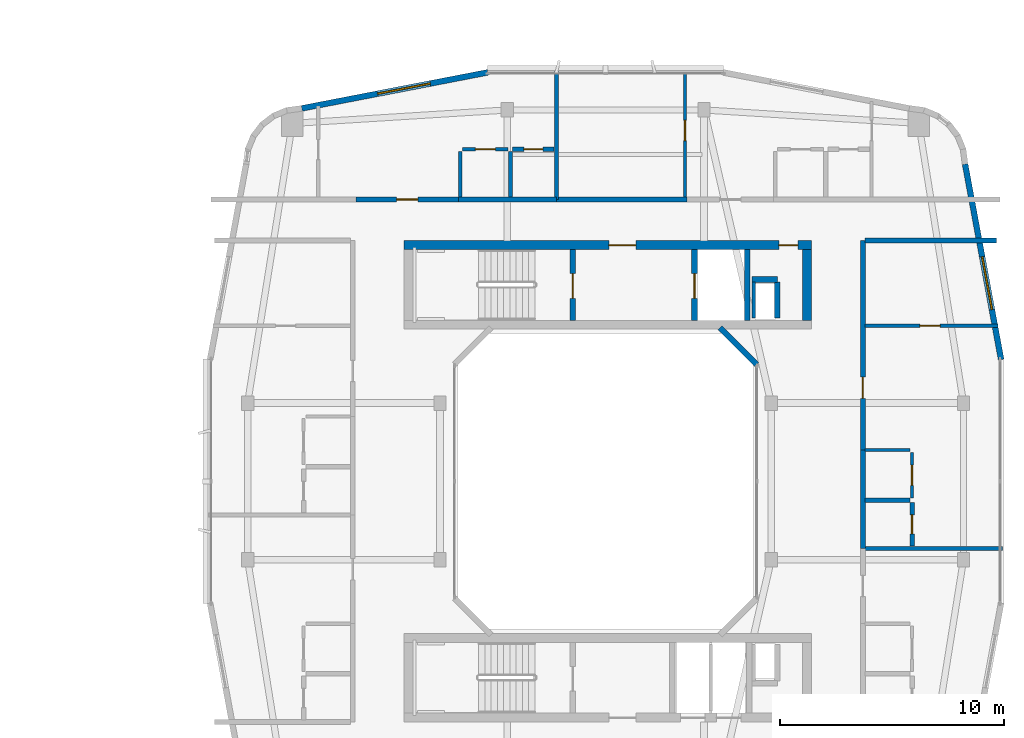
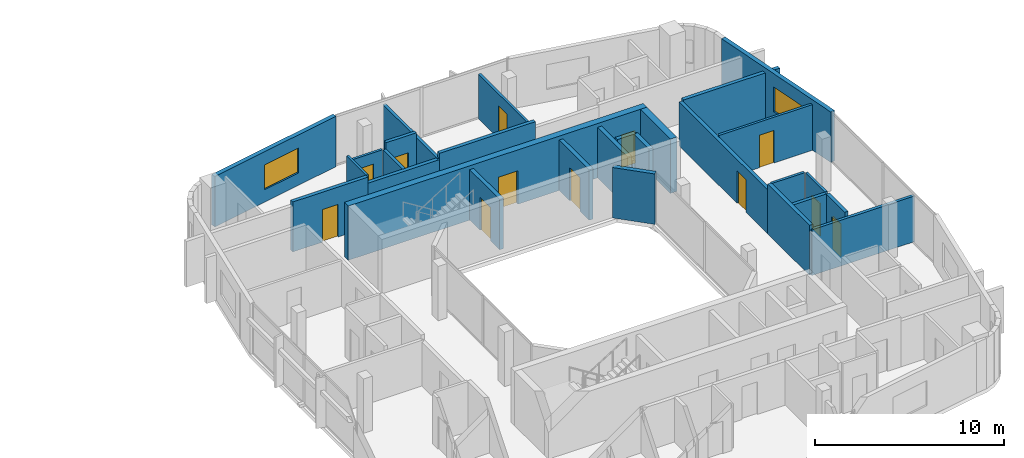
# One storey, part 19 of 26: 29 walls, 12 doors, 2 windows, 14 openings.
"""IFC4 building model written with IfcOpenShell, lengths in metres."""

from ifc_helpers import new_model, si_unit, derived_unit, direction, frame, frame_2d, origin, place, context, subcontext, project, spatial, rectangle, extrude, material, layer, layer_set, type_object, element, fill, save


model = new_model("IFC4")

# Units and contexts
model_context = context("Model", 3, precision=1e-05, world=origin(), true_north=direction((0.0, 1.0)))
body_context = subcontext(model_context, "Body", "Model", "MODEL_VIEW")
ifc_project = project(units=[si_unit("LENGTHUNIT", "METRE"), si_unit("AREAUNIT", "SQUARE_METRE"), si_unit("VOLUMEUNIT", "CUBIC_METRE"), si_unit("PLANEANGLEUNIT", "RADIAN"), si_unit("MASSUNIT", "GRAM", prefix="KILO"), derived_unit("THERMALTRANSMITTANCEUNIT", [(si_unit("POWERUNIT", "WATT"), 1), (si_unit("LENGTHUNIT", "METRE"), -2), (si_unit("THERMODYNAMICTEMPERATUREUNIT", "KELVIN"), -1)])], contexts=[model_context])

# Site, building, storey
site_placement = place(None, origin())
site = spatial("IfcSite", under=ifc_project, at=site_placement, CompositionType="ELEMENT")
building_placement = place(site_placement, origin())
building = spatial("IfcBuilding", under=site, at=building_placement, Name="Kivonza Crest Hotel", CompositionType="ELEMENT")
storey_placement = place(building_placement, frame((0.0, 0.0, 109.0)))
storey = spatial("IfcBuildingStorey", under=building, at=storey_placement, Name="L29", CompositionType="ELEMENT", Elevation=109.0)

# Walls
ifc_material_1 = material(Name="High-density acoustic masonry inter-tenancy wall", Category="masonry")
ifc_layer_1 = layer(ifc_material_1, 0.179931640625)
ifc_layer_set_1 = layer_set([ifc_layer_1], Name="High-density acoustic masonry inter-tenancy wall")
wall_type_1 = type_object("IfcWallType", Name="WL-ACOU-180", PredefinedType="SOLIDWALL", material=ifc_layer_set_1)
wall_1_placement = place(storey_placement, frame((74.800048828125, 37.60009765625, 0.0), z_axis=(0.0, 0.0, 1.0), x_axis=(0.0, 1.0, 0.0)))
element("IfcWall", 1, at=wall_1_placement, inside=storey, type_object=wall_type_1, Name="L29 interior partition WA-L29-T2N-DIV1", PredefinedType="SOLIDWALL", context=body_context, shape_type="SweptSolid", body=[
    extrude(rectangle(XDim=5.739990234375, YDim=0.179931640625, at=frame_2d((2.8701171875, 0.0))), origin(), (0.0, 0.0, 1.0), 2.864990234375),
])
wall_2_placement = place(storey_placement, frame((88.5, 22.0, 0.0), z_axis=(0.0, 0.0, 1.0), x_axis=(1.0, 0.0, 0.0)))
element("IfcWall", 2, at=wall_2_placement, inside=storey, type_object=wall_type_1, Name="L29 interior partition WA-L29-T2E-DIV1", PredefinedType="SOLIDWALL", context=body_context, shape_type="SweptSolid", body=[
    extrude(rectangle(XDim=6.239990234375, YDim=0.179931640625, at=frame_2d((3.1201171875, 0.0))), origin(), (0.0, 0.0, 1.0), 2.945068359375),
])
ifc_material_2 = material(Name="Autoclaved aerated concrete blockwork", Category="masonry")
ifc_layer_2 = layer(ifc_material_2, 0.219970703125)
ifc_layer_set_2 = layer_set([ifc_layer_2], Name="Autoclaved aerated concrete blockwork")
wall_type_2 = type_object("IfcWallType", Name="WL-ACOU-220", PredefinedType="SOLIDWALL", material=ifc_layer_set_2)
wall_3_placement = place(storey_placement, frame((70.419921875, 37.60009765625, 0.0), z_axis=(0.0, 0.0, 1.0), x_axis=(1.0, 0.0, 0.0)))
element("IfcWall", 3, at=wall_3_placement, inside=storey, type_object=wall_type_2, Name="L29 interior partition WA-L29-A01-RCORR", PredefinedType="SOLIDWALL", context=body_context, shape_type="SweptSolid", body=[
    extrude(rectangle(XDim=4.380126953125, YDim=0.219970703125, at=frame_2d((2.18994140625, 0.0))), origin(), (0.0, 0.0, 1.0), 2.824951171875),
])

# Wall, opening, door
wall_4_placement = place(storey_placement, frame((65.85009765625, 37.60009765625, 0.0), z_axis=(0.0, 0.0, 1.0), x_axis=(1.0, 0.0, 0.0)))
wall_4 = element("IfcWall", 4, at=wall_4_placement, inside=storey, type_object=wall_type_2, Name="L29 interior partition WA-L29-A01-MCORR", PredefinedType="SOLIDWALL", context=body_context, shape_type="SweptSolid", body=[
    extrude(rectangle(XDim=4.56982421875, YDim=0.219970703125, at=frame_2d((2.284912109375, 0.0))), origin(), (0.0, 0.0, 1.0), 3.219970703125),
])
opening_1_placement = place(wall_4_placement, frame((1.81005859375, 0.0, 0.0)))
opening_1 = element("IfcOpeningElement", 5, at=opening_1_placement, cuts=wall_4, Name="Opening DU-60", PredefinedType="OPENING", context=body_context, shape_type="SweptSolid", body=[
    extrude(rectangle(XDim=0.949951171875, YDim=2.10009765625, at=frame_2d((0.47509765625, 1.050048828125))), frame((0.0, 0.1201171875, 0.0), z_axis=(0.0, -1.0, 0.0), x_axis=(1.0, 0.0, 0.0)), (0.0, 0.0, 1.0), 0.239990234375),
])
ifc_material_3 = material(Name="Hardwood timber oak", Category="wood")
door_type_1 = type_object("IfcDoorType", Name="DR-UNIT-950", OperationType="NOTDEFINED", PredefinedType="DOOR", material=ifc_material_3)
door_1_placement = place(opening_1_placement, origin())
door_1 = element("IfcDoor", 6, at=door_1_placement, inside=storey, type_object=door_type_1, Name="L29 A01 apartment entrance fire door", OperationType="SINGLE_SWING_LEFT", OverallHeight=2.10009765625, OverallWidth=0.949951171875, PredefinedType="DOOR", context=body_context, shape_type="SweptSolid", body=[
    extrude(rectangle(XDim=0.949951171875, YDim=2.10009765625, at=frame_2d((0.47509765625, 1.050048828125))), frame((0.0, 0.02490234375, 0.0), z_axis=(0.0, -1.0, 0.0), x_axis=(1.0, 0.0, 0.0)), (0.0, 0.0, 1.0), 0.050048828125),
])
fill(opening_1, door_1)

# Walls
wall_5_placement = place(storey_placement, frame((74.800048828125, 37.60009765625, 0.0), z_axis=(0.0, 0.0, 1.0), x_axis=(1.0, 0.0, 0.0)))
element("IfcWall", 7, at=wall_5_placement, inside=storey, type_object=wall_type_2, Name="L29 interior partition WA-L29-A02-LCORR", PredefinedType="SOLIDWALL", context=body_context, shape_type="SweptSolid", body=[
    extrude(rectangle(XDim=5.829833984375, YDim=0.219970703125, at=frame_2d((2.9150390625, 0.0))), origin(), (0.0, 0.0, 1.0), 3.219970703125),
])
wall_6_placement = place(storey_placement, frame((88.60009765625, 35.760009765625, 0.0), z_axis=(0.0, 0.0, 1.0), x_axis=(1.0, 0.0, 0.0)))
element("IfcWall", 8, at=wall_6_placement, inside=storey, type_object=wall_type_2, Name="L29 interior partition WA-L29-T2E-ENDN", PredefinedType="SOLIDWALL", context=body_context, shape_type="SweptSolid", body=[
    extrude(rectangle(XDim=5.8798828125, YDim=0.219970703125, at=frame_2d((2.93994140625, 0.0))), origin(), (0.0, 0.0, 1.0), 2.945068359375),
])
wall_7_placement = place(storey_placement, frame((88.5, 22.0, 0.0), z_axis=(0.0, 0.0, 1.0), x_axis=(0.0, 1.0, 0.0)))
element("IfcWall", 9, at=wall_7_placement, inside=storey, type_object=wall_type_2, Name="L29 interior partition WA-L29-A09-BCORR", PredefinedType="SOLIDWALL", context=body_context, shape_type="SweptSolid", body=[
    extrude(rectangle(XDim=4.39990234375, YDim=0.219970703125, at=frame_2d((2.199951171875, 0.0))), origin(), (0.0, 0.0, 1.0), 3.219970703125),
])

# Wall, opening, door
wall_8_placement = place(storey_placement, frame((88.5, 26.39990234375, 0.0), z_axis=(0.0, 0.0, 1.0), x_axis=(0.0, 1.0, 0.0)))
wall_8 = element("IfcWall", 10, at=wall_8_placement, inside=storey, type_object=wall_type_2, Name="L29 interior partition WA-L29-A09-MCORR", PredefinedType="SOLIDWALL", context=body_context, shape_type="SweptSolid", body=[
    extrude(rectangle(XDim=9.360107421875, YDim=0.219970703125, at=frame_2d((4.68017578125, 0.0))), origin(), (0.0, 0.0, 1.0), 2.824951171875),
])
opening_2_placement = place(wall_8_placement, frame((2.304931640625, 0.0, 0.0)))
opening_2 = element("IfcOpeningElement", 11, at=opening_2_placement, cuts=wall_8, Name="Opening DU-60", PredefinedType="OPENING", context=body_context, shape_type="SweptSolid", body=[
    extrude(rectangle(XDim=0.949951171875, YDim=2.10009765625, at=frame_2d((0.47509765625, 1.050048828125))), frame((0.0, 0.1201171875, 0.0), z_axis=(0.0, -1.0, 0.0), x_axis=(1.0, 0.0, 0.0)), (0.0, 0.0, 1.0), 0.239990234375),
])
door_2_placement = place(opening_2_placement, frame((0.949951171875, 0.0, 0.0), z_axis=(0.0, 0.0, 1.0), x_axis=(-1.0, 0.0, 0.0)))
door_2 = element("IfcDoor", 12, at=door_2_placement, inside=storey, type_object=door_type_1, Name="L29 A09 apartment entrance fire door", OperationType="SINGLE_SWING_LEFT", OverallHeight=2.10009765625, OverallWidth=0.949951171875, PredefinedType="DOOR", context=body_context, shape_type="SweptSolid", body=[
    extrude(rectangle(XDim=0.949951171875, YDim=2.10009765625, at=frame_2d((0.47509765625, 1.050048828125))), frame((0.0, 0.02490234375, 0.0), z_axis=(0.0, -1.0, 0.0), x_axis=(1.0, 0.0, 0.0)), (0.0, 0.0, 1.0), 0.050048828125),
])
fill(opening_2, door_2)

# Wall, openings, doors
ifc_material_4 = material(Name="Concrete C50/60", Category="concrete")
ifc_layer_3 = layer(ifc_material_4, 0.39990234375)
ifc_layer_set_3 = layer_set([ifc_layer_3], Name="Concrete C50/60")
wall_type_3 = type_object("IfcWallType", Name="WL-CORE-400", PredefinedType="SHEAR", material=ifc_layer_set_3)
wall_9_placement = place(storey_placement, frame((68.0, 35.56005859375, 0.0), z_axis=(0.0, 0.0, 1.0), x_axis=(1.0, 0.0, 0.0)))
wall_9 = element("IfcWall", 13, at=wall_9_placement, inside=storey, type_object=wall_type_3, Name="Core wall T2-N North L29", PredefinedType="SHEAR", context=body_context, shape_type="SweptSolid", body=[
    extrude(rectangle(XDim=18.199951171875, YDim=0.39990234375, at=frame_2d((9.10009765625, 0.0))), origin(), (0.0, 0.0, 1.0), 3.5),
])
opening_3_placement = place(wall_9_placement, frame((9.14990234375, 0.0, 0.0)))
opening_3 = element("IfcOpeningElement", 14, at=opening_3_placement, cuts=wall_9, Name="Opening DF-60", PredefinedType="OPENING", context=body_context, shape_type="SweptSolid", body=[
    extrude(rectangle(XDim=1.199951171875, YDim=2.14990234375, at=frame_2d((0.60009765625, 1.074951171875))), frame((0.0, 0.2099609375, 0.0), z_axis=(0.0, -1.0, 0.0), x_axis=(1.0, 0.0, 0.0)), (0.0, 0.0, 1.0), 0.419921875),
])
opening_4_placement = place(wall_9_placement, frame((16.75, 0.0, 0.0)))
opening_4 = element("IfcOpeningElement", 15, at=opening_4_placement, cuts=wall_9, Name="Opening DF-60R", PredefinedType="OPENING", context=body_context, shape_type="SweptSolid", body=[
    extrude(rectangle(XDim=0.85009765625, YDim=2.10009765625, at=frame_2d((0.425048828125, 1.050048828125))), frame((0.0, 0.2099609375, 0.0), z_axis=(0.0, -1.0, 0.0), x_axis=(1.0, 0.0, 0.0)), (0.0, 0.0, 1.0), 0.419921875),
])
door_type_2 = type_object("IfcDoorType", Name="DR-FD60-1200", OperationType="NOTDEFINED", PredefinedType="DOOR", material=ifc_material_3)
door_3_placement = place(opening_3_placement, origin())
door_3 = element("IfcDoor", 16, at=door_3_placement, inside=storey, type_object=door_type_2, Name="L29 T2-N firefighting lobby fire door", OperationType="SINGLE_SWING_RIGHT", OverallHeight=2.14990234375, OverallWidth=1.199951171875, PredefinedType="DOOR", context=body_context, shape_type="SweptSolid", body=[
    extrude(rectangle(XDim=1.199951171875, YDim=2.14990234375, at=frame_2d((0.60009765625, 1.074951171875))), frame((0.0, 0.02490234375, 0.0), z_axis=(0.0, -1.0, 0.0), x_axis=(1.0, 0.0, 0.0)), (0.0, 0.0, 1.0), 0.050048828125),
])
fill(opening_3, door_3)
door_type_3 = type_object("IfcDoorType", Name="DR-FD60-850", OperationType="NOTDEFINED", PredefinedType="DOOR", material=ifc_material_3)
door_4_placement = place(opening_4_placement, origin())
door_4 = element("IfcDoor", 17, at=door_4_placement, inside=storey, type_object=door_type_3, Name="L29 T2-N core room door", OperationType="SINGLE_SWING_RIGHT", OverallHeight=2.10009765625, OverallWidth=0.85009765625, PredefinedType="DOOR", context=body_context, shape_type="SweptSolid", body=[
    extrude(rectangle(XDim=0.85009765625, YDim=2.10009765625, at=frame_2d((0.425048828125, 1.050048828125))), frame((0.0, 0.02490234375, 0.0), z_axis=(0.0, -1.0, 0.0), x_axis=(1.0, 0.0, 0.0)), (0.0, 0.0, 1.0), 0.050048828125),
])
fill(opening_4, door_4)

# Wall
wall_10_placement = place(storey_placement, frame((86.0, 32.199951171875, 0.0), z_axis=(0.0, 0.0, 1.0), x_axis=(0.0, 1.0, 0.0)))
element("IfcWall", 18, at=wall_10_placement, inside=storey, type_object=wall_type_3, Name="Core wall T2-N East L29", PredefinedType="SHEAR", context=body_context, shape_type="SweptSolid", body=[
    extrude(rectangle(XDim=3.16015625, YDim=0.39990234375, at=frame_2d((1.580078125, 0.0))), origin(), (0.0, 0.0, 1.0), 3.5),
])

# Wall, opening, window
ifc_material_5 = material(Name="Precast concrete C40/50", Category="concrete")
ifc_layer_4 = layer(ifc_material_5, 0.260009765625)
ifc_layer_set_4 = layer_set([ifc_layer_4], Name="Precast concrete C40/50")
wall_type_4 = type_object("IfcWallType", Name="WL-EXT-260", PredefinedType="STANDARD", material=ifc_layer_set_4)
wall_11_placement = place(storey_placement, frame((94.681884765625, 30.44189453125, 0.0), z_axis=(0.0, 0.0, 1.0), x_axis=(-0.181209963057, 0.983444431215, 0.0)))
wall_11 = element("IfcWall", 19, at=wall_11_placement, inside=storey, type_object=wall_type_4, Name="L29 T2 exterior insulated wall 18", PredefinedType="STANDARD", context=body_context, shape_type="SweptSolid", body=[
    extrude(rectangle(XDim=8.889404296875, YDim=0.260009765625, at=frame_2d((4.44482421875, 0.0))), origin(), (0.0, 0.0, 1.0), 3.25),
])
opening_5_placement = place(wall_11_placement, frame((2.27587890625, 0.0, 0.800048828125)))
opening_5 = element("IfcOpeningElement", 20, at=opening_5_placement, cuts=wall_11, Name="Opening WN-05", PredefinedType="OPENING", context=body_context, shape_type="SweptSolid", body=[
    extrude(rectangle(XDim=2.39990234375, YDim=1.60009765625, at=frame_2d((1.199951171875, 0.800048828125))), frame((0.0, 0.14013671875, 0.0), z_axis=(0.0, -1.0, 0.0), x_axis=(1.0, 0.0, 0.0)), (0.0, 0.0, 1.0), 0.280029296875),
])
ifc_material_6 = material(Name="Thermally broken bronze aluminium and low-E double glazing", Category="aluminium")
window_type = type_object("IfcWindowType", Name="WN-240x160", PartitioningType="TRIPLE_PANEL_VERTICAL", PredefinedType="WINDOW", material=ifc_material_6)
window_1_placement = place(opening_5_placement, origin())
window_1 = element("IfcWindow", 21, at=window_1_placement, inside=storey, type_object=window_type, Name="L29 T2 facade window 18", OverallHeight=1.60009765625, OverallWidth=2.39990234375, PartitioningType="SINGLE_PANEL", PredefinedType="WINDOW", context=body_context, shape_type="SweptSolid", body=[
    extrude(rectangle(XDim=2.39990234375, YDim=1.60009765625, at=frame_2d((1.199951171875, 0.800048828125))), frame((0.0, 0.030029296875, 0.0), z_axis=(0.0, -1.0, 0.0), x_axis=(1.0, 0.0, 0.0)), (0.0, 0.0, 1.0), 0.06005859375),
])
fill(opening_5, window_1)

wall_12_placement = place(storey_placement, frame((71.739013671875, 43.281982421875, 0.0), z_axis=(0.0, 0.0, 1.0), x_axis=(-0.981750199588, -0.190175039396, 0.0)))
wall_12 = element("IfcWall", 22, at=wall_12_placement, inside=storey, type_object=wall_type_4, Name="L29 T2 exterior insulated wall 27", PredefinedType="STANDARD", context=body_context, shape_type="SweptSolid", body=[
    extrude(rectangle(XDim=8.476806640625, YDim=0.260009765625, at=frame_2d((4.23828125, 0.0))), origin(), (0.0, 0.0, 1.0), 3.25),
])
opening_6_placement = place(wall_12_placement, frame((2.623046875, 0.0, 0.800048828125)))
opening_6 = element("IfcOpeningElement", 23, at=opening_6_placement, cuts=wall_12, Name="Opening WN-05", PredefinedType="OPENING", context=body_context, shape_type="SweptSolid", body=[
    extrude(rectangle(XDim=2.39990234375, YDim=1.60009765625, at=frame_2d((1.199951171875, 0.800048828125))), frame((0.0, 0.14013671875, 0.0), z_axis=(0.0, -1.0, 0.0), x_axis=(1.0, 0.0, 0.0)), (0.0, 0.0, 1.0), 0.280029296875),
])
window_2_placement = place(opening_6_placement, origin())
window_2 = element("IfcWindow", 24, at=window_2_placement, inside=storey, type_object=window_type, Name="L29 T2 facade window 27", OverallHeight=1.60009765625, OverallWidth=2.39990234375, PartitioningType="SINGLE_PANEL", PredefinedType="WINDOW", context=body_context, shape_type="SweptSolid", body=[
    extrude(rectangle(XDim=2.39990234375, YDim=1.60009765625, at=frame_2d((1.199951171875, 0.800048828125))), frame((0.0, 0.030029296875, 0.0), z_axis=(0.0, -1.0, 0.0), x_axis=(1.0, 0.0, 0.0)), (0.0, 0.0, 1.0), 0.06005859375),
])
fill(opening_6, window_2)

# Walls
wall_13_placement = place(storey_placement, frame((83.756103515625, 30.22802734375, 0.0), z_axis=(0.0, 0.0, 1.0), x_axis=(-0.707106781187, 0.707106781187, 0.0)))
element("IfcWall", 25, at=wall_13_placement, inside=storey, type_object=wall_type_4, Name="L29 T2 light-well exterior wall 4", PredefinedType="STANDARD", context=body_context, shape_type="SweptSolid", body=[
    extrude(rectangle(XDim=2.310791015625, YDim=0.260009765625, at=frame_2d((1.1552734375, 0.0))), origin(), (0.0, 0.0, 1.0), 3.25),
])
ifc_material_7 = material(Name="Concrete blockwork fire-compartment wall", Category="masonry")
ifc_layer_5 = layer(ifc_material_7, 0.25)
ifc_layer_set_5 = layer_set([ifc_layer_5], Name="Concrete blockwork fire-compartment wall")
wall_type_5 = type_object("IfcWallType", Name="WL-FIRE-250", PredefinedType="SOLIDWALL", material=ifc_layer_set_5)
wall_14_placement = place(storey_placement, frame((84.679931640625, 32.300048828125, 0.0), z_axis=(0.0, 0.0, 1.0), x_axis=(0.0, 1.0, 0.0)))
element("IfcWall", 26, at=wall_14_placement, inside=storey, type_object=wall_type_5, Name="L29 interior partition WA-L29-T2-N-MEPR-E", PredefinedType="SOLIDWALL", context=body_context, shape_type="SweptSolid", body=[
    extrude(rectangle(XDim=1.619873046875, YDim=0.25, at=frame_2d((0.81005859375, 0.0))), origin(), (0.0, 0.0, 1.0), 3.219970703125),
])
wall_15_placement = place(storey_placement, frame((83.550048828125, 34.02001953125, 0.0), z_axis=(0.0, 0.0, 1.0), x_axis=(1.0, 0.0, 0.0)))
element("IfcWall", 27, at=wall_15_placement, inside=storey, type_object=wall_type_5, Name="L29 interior partition WA-L29-T2-N-MEPR-H", PredefinedType="SOLIDWALL", context=body_context, shape_type="SweptSolid", body=[
    extrude(rectangle(XDim=1.1298828125, YDim=0.25, at=frame_2d((0.56494140625, 0.0))), origin(), (0.0, 0.0, 1.0), 3.219970703125),
])
ifc_material_8 = material(Name="Twin-stud acoustic gypsum board partition", Category="gypsum")
ifc_layer_6 = layer(ifc_material_8, 0.14990234375)
ifc_layer_set_6 = layer_set([ifc_layer_6], Name="Twin-stud acoustic gypsum board partition")
wall_type_6 = type_object("IfcWallType", Name="WL-PART-150", PredefinedType="PARTITIONING", material=ifc_layer_set_6)
wall_16_placement = place(storey_placement, frame((83.6298828125, 32.300048828125, 0.0), z_axis=(0.0, 0.0, 1.0), x_axis=(0.0, 1.0, 0.0)))
element("IfcWall", 28, at=wall_16_placement, inside=storey, type_object=wall_type_6, Name="L29 interior partition WA-L29-T2-N-MEPR-W", PredefinedType="PARTITIONING", context=body_context, shape_type="SweptSolid", body=[
    extrude(rectangle(XDim=1.619873046875, YDim=0.14990234375, at=frame_2d((0.81005859375, 0.0))), origin(), (0.0, 0.0, 1.0), 2.824951171875),
])
wall_17_placement = place(storey_placement, frame((70.5, 37.699951171875, 0.0), z_axis=(0.0, 0.0, 1.0), x_axis=(0.0, 1.0, 0.0)))
element("IfcWall", 29, at=wall_17_placement, inside=storey, type_object=wall_type_6, Name="L29 interior partition WP-L29-A01-KF", PredefinedType="PARTITIONING", context=body_context, shape_type="SweptSolid", body=[
    extrude(rectangle(XDim=2.050048828125, YDim=0.14990234375, at=frame_2d((1.02490234375, 0.0))), origin(), (0.0, 0.0, 1.0), 3.219970703125),
])

# Wall, opening, door
wall_18_placement = place(storey_placement, frame((70.60009765625, 39.85009765625, 0.0), z_axis=(0.0, 0.0, 1.0), x_axis=(1.0, 0.0, 0.0)))
wall_18 = element("IfcWall", 30, at=wall_18_placement, inside=storey, type_object=wall_type_6, Name="L29 interior partition WP-L29-A01-KSVC", PredefinedType="PARTITIONING", context=body_context, shape_type="SweptSolid", body=[
    extrude(rectangle(XDim=2.0498046875, YDim=0.14990234375, at=frame_2d((1.02490234375, 0.0))), origin(), (0.0, 0.0, 1.0), 2.824951171875),
])
opening_7_placement = place(wall_18_placement, frame((0.574951171875, 0.0, 0.0)))
opening_7 = element("IfcOpeningElement", 31, at=opening_7_placement, cuts=wall_18, Name="Opening DI-90", PredefinedType="OPENING", context=body_context, shape_type="SweptSolid", body=[
    extrude(rectangle(XDim=0.89990234375, YDim=2.10009765625, at=frame_2d((0.449951171875, 1.050048828125))), frame((0.0, 0.0849609375, 0.0), z_axis=(0.0, -1.0, 0.0), x_axis=(1.0, 0.0, 0.0)), (0.0, 0.0, 1.0), 0.169921875),
])
door_type_4 = type_object("IfcDoorType", Name="DR-INT-900", OperationType="NOTDEFINED", PredefinedType="DOOR", material=ifc_material_3)
door_5_placement = place(opening_7_placement, origin())
door_5 = element("IfcDoor", 32, at=door_5_placement, inside=storey, type_object=door_type_4, Name="L29 A01 apartment kitchen door", OperationType="SINGLE_SWING_LEFT", OverallHeight=2.10009765625, OverallWidth=0.89990234375, PredefinedType="DOOR", context=body_context, shape_type="SweptSolid", body=[
    extrude(rectangle(XDim=0.89990234375, YDim=2.10009765625, at=frame_2d((0.449951171875, 1.050048828125))), frame((0.0, 0.02490234375, 0.0), z_axis=(0.0, -1.0, 0.0), x_axis=(1.0, 0.0, 0.0)), (0.0, 0.0, 1.0), 0.050048828125),
])
fill(opening_7, door_5)

wall_19_placement = place(storey_placement, frame((80.550048828125, 37.699951171875, 0.0), z_axis=(0.0, 0.0, 1.0), x_axis=(0.0, 1.0, 0.0)))
wall_19 = element("IfcWall", 33, at=wall_19_placement, inside=storey, type_object=wall_type_6, Name="L29 interior partition WP-L29-A02-BDW1", PredefinedType="PARTITIONING", context=body_context, shape_type="SweptSolid", body=[
    extrude(rectangle(XDim=5.5400390625, YDim=0.14990234375, at=frame_2d((2.77001953125, 0.0))), origin(), (0.0, 0.0, 1.0), 2.864990234375),
])
opening_8_placement = place(wall_19_placement, frame((2.530029296875, 0.0, 0.0)))
opening_8 = element("IfcOpeningElement", 34, at=opening_8_placement, cuts=wall_19, Name="Opening DI-90", PredefinedType="OPENING", context=body_context, shape_type="SweptSolid", body=[
    extrude(rectangle(XDim=0.89990234375, YDim=2.10009765625, at=frame_2d((0.449951171875, 1.050048828125))), frame((0.0, 0.0849609375, 0.0), z_axis=(0.0, -1.0, 0.0), x_axis=(1.0, 0.0, 0.0)), (0.0, 0.0, 1.0), 0.169921875),
])
door_6_placement = place(opening_8_placement, origin())
door_6 = element("IfcDoor", 35, at=door_6_placement, inside=storey, type_object=door_type_4, Name="L29 A02 bedroom 1 door", OperationType="SINGLE_SWING_LEFT", OverallHeight=2.10009765625, OverallWidth=0.89990234375, PredefinedType="DOOR", context=body_context, shape_type="SweptSolid", body=[
    extrude(rectangle(XDim=0.89990234375, YDim=2.10009765625, at=frame_2d((0.449951171875, 1.050048828125))), frame((0.0, 0.02490234375, 0.0), z_axis=(0.0, -1.0, 0.0), x_axis=(1.0, 0.0, 0.0)), (0.0, 0.0, 1.0), 0.050048828125),
])
fill(opening_8, door_6)

wall_20_placement = place(storey_placement, frame((88.60009765625, 31.9599609375, 0.0), z_axis=(0.0, 0.0, 1.0), x_axis=(1.0, 0.0, 0.0)))
wall_20 = element("IfcWall", 36, at=wall_20_placement, inside=storey, type_object=wall_type_6, Name="L29 interior partition WP-L29-A09-BD1", PredefinedType="PARTITIONING", context=body_context, shape_type="SweptSolid", body=[
    extrude(rectangle(XDim=5.93994140625, YDim=0.14990234375, at=frame_2d((2.969970703125, 0.0))), origin(), (0.0, 0.0, 1.0), 2.945068359375),
])
opening_9_placement = place(wall_20_placement, frame((2.449951171875, 0.0, 0.0)))
opening_9 = element("IfcOpeningElement", 37, at=opening_9_placement, cuts=wall_20, Name="Opening DI-90", PredefinedType="OPENING", context=body_context, shape_type="SweptSolid", body=[
    extrude(rectangle(XDim=0.89990234375, YDim=2.10009765625, at=frame_2d((0.449951171875, 1.050048828125))), frame((0.0, 0.0849609375, 0.0), z_axis=(0.0, -1.0, 0.0), x_axis=(1.0, 0.0, 0.0)), (0.0, 0.0, 1.0), 0.169921875),
])
door_7_placement = place(opening_9_placement, origin())
door_7 = element("IfcDoor", 38, at=door_7_placement, inside=storey, type_object=door_type_4, Name="L29 A09 bedroom door", OperationType="SINGLE_SWING_RIGHT", OverallHeight=2.10009765625, OverallWidth=0.89990234375, PredefinedType="DOOR", context=body_context, shape_type="SweptSolid", body=[
    extrude(rectangle(XDim=0.89990234375, YDim=2.10009765625, at=frame_2d((0.449951171875, 1.050048828125))), frame((0.0, 0.02490234375, 0.0), z_axis=(0.0, -1.0, 0.0), x_axis=(1.0, 0.0, 0.0)), (0.0, 0.0, 1.0), 0.050048828125),
])
fill(opening_9, door_7)

# Wall
wall_21_placement = place(storey_placement, frame((88.60009765625, 26.39990234375, 0.0), z_axis=(0.0, 0.0, 1.0), x_axis=(1.0, 0.0, 0.0)))
element("IfcWall", 39, at=wall_21_placement, inside=storey, type_object=wall_type_6, Name="L29 interior partition WP-L29-A09-KF", PredefinedType="PARTITIONING", context=body_context, shape_type="SweptSolid", body=[
    extrude(rectangle(XDim=2.0, YDim=0.14990234375, at=frame_2d((1.0, 0.0))), origin(), (0.0, 0.0, 1.0), 3.219970703125),
])

# Wall, opening, door
wall_22_placement = place(storey_placement, frame((90.699951171875, 24.25, 0.0), z_axis=(0.0, 0.0, 1.0), x_axis=(0.0, 1.0, 0.0)))
wall_22 = element("IfcWall", 40, at=wall_22_placement, inside=storey, type_object=wall_type_6, Name="L29 interior partition WP-L29-A09-KSVC", PredefinedType="PARTITIONING", context=body_context, shape_type="SweptSolid", body=[
    extrude(rectangle(XDim=2.050048828125, YDim=0.14990234375, at=frame_2d((1.02490234375, 0.0))), origin(), (0.0, 0.0, 1.0), 3.219970703125),
])
opening_10_placement = place(wall_22_placement, frame((0.574951171875, 0.0, 0.0)))
opening_10 = element("IfcOpeningElement", 41, at=opening_10_placement, cuts=wall_22, Name="Opening DI-90", PredefinedType="OPENING", context=body_context, shape_type="SweptSolid", body=[
    extrude(rectangle(XDim=0.89990234375, YDim=2.10009765625, at=frame_2d((0.449951171875, 1.050048828125))), frame((0.0, 0.0849609375, 0.0), z_axis=(0.0, -1.0, 0.0), x_axis=(1.0, 0.0, 0.0)), (0.0, 0.0, 1.0), 0.169921875),
])
door_8_placement = place(opening_10_placement, frame((0.89990234375, 0.0, 0.0), z_axis=(0.0, 0.0, 1.0), x_axis=(-1.0, 0.0, 0.0)))
door_8 = element("IfcDoor", 42, at=door_8_placement, inside=storey, type_object=door_type_4, Name="L29 A09 apartment kitchen door", OperationType="SINGLE_SWING_LEFT", OverallHeight=2.10009765625, OverallWidth=0.89990234375, PredefinedType="DOOR", context=body_context, shape_type="SweptSolid", body=[
    extrude(rectangle(XDim=0.89990234375, YDim=2.10009765625, at=frame_2d((0.449951171875, 1.050048828125))), frame((0.0, 0.02490234375, 0.0), z_axis=(0.0, -1.0, 0.0), x_axis=(1.0, 0.0, 0.0)), (0.0, 0.0, 1.0), 0.050048828125),
])
fill(opening_10, door_8)

# Wall
ifc_material_9 = material(Name="Moisture-resistant plumbing chase partition wall", Category="gypsum")
ifc_layer_7 = layer(ifc_material_9, 0.199951171875)
ifc_layer_set_7 = layer_set([ifc_layer_7], Name="Moisture-resistant plumbing chase partition wall")
wall_type_7 = type_object("IfcWallType", Name="WL-PLUMB-200", PredefinedType="PLUMBINGWALL", material=ifc_layer_set_7)
wall_23_placement = place(storey_placement, frame((72.75, 37.699951171875, 0.0), z_axis=(0.0, 0.0, 1.0), x_axis=(0.0, 1.0, 0.0)))
element("IfcWall", 43, at=wall_23_placement, inside=storey, type_object=wall_type_7, Name="L29 interior partition WW-L29-A01-BK", PredefinedType="PLUMBINGWALL", context=body_context, shape_type="SweptSolid", body=[
    extrude(rectangle(XDim=2.050048828125, YDim=0.199951171875, at=frame_2d((1.02490234375, 0.0))), origin(), (0.0, 0.0, 1.0), 2.824951171875),
])

# Wall, opening, door
wall_24_placement = place(storey_placement, frame((72.85009765625, 39.85009765625, 0.0), z_axis=(0.0, 0.0, 1.0), x_axis=(1.0, 0.0, 0.0)))
wall_24 = element("IfcWall", 44, at=wall_24_placement, inside=storey, type_object=wall_type_7, Name="L29 interior partition WW-L29-A01-BSVC", PredefinedType="PLUMBINGWALL", context=body_context, shape_type="SweptSolid", body=[
    extrude(rectangle(XDim=1.849853515625, YDim=0.199951171875, at=frame_2d((0.9248046875, 0.0))), origin(), (0.0, 0.0, 1.0), 3.219970703125),
])
opening_11_placement = place(wall_24_placement, frame((0.5, 0.0, 0.0)))
opening_11 = element("IfcOpeningElement", 45, at=opening_11_placement, cuts=wall_24, Name="Opening DI-85", PredefinedType="OPENING", context=body_context, shape_type="SweptSolid", body=[
    extrude(rectangle(XDim=0.85009765625, YDim=2.10009765625, at=frame_2d((0.425048828125, 1.050048828125))), frame((0.0, 0.10986328125, 0.0), z_axis=(0.0, -1.0, 0.0), x_axis=(1.0, 0.0, 0.0)), (0.0, 0.0, 1.0), 0.219970703125),
])
door_type_5 = type_object("IfcDoorType", Name="DR-INT-850", OperationType="NOTDEFINED", PredefinedType="DOOR", material=ifc_material_3)
door_9_placement = place(opening_11_placement, origin())
door_9 = element("IfcDoor", 46, at=door_9_placement, inside=storey, type_object=door_type_5, Name="L29 A01 apartment bathroom door", OperationType="SINGLE_SWING_RIGHT", OverallHeight=2.10009765625, OverallWidth=0.85009765625, PredefinedType="DOOR", context=body_context, shape_type="SweptSolid", body=[
    extrude(rectangle(XDim=0.85009765625, YDim=2.10009765625, at=frame_2d((0.425048828125, 1.050048828125))), frame((0.0, 0.02490234375, 0.0), z_axis=(0.0, -1.0, 0.0), x_axis=(1.0, 0.0, 0.0)), (0.0, 0.0, 1.0), 0.050048828125),
])
fill(opening_11, door_9)

# Wall
wall_25_placement = place(storey_placement, frame((88.60009765625, 24.14990234375, 0.0), z_axis=(0.0, 0.0, 1.0), x_axis=(1.0, 0.0, 0.0)))
element("IfcWall", 47, at=wall_25_placement, inside=storey, type_object=wall_type_7, Name="L29 interior partition WW-L29-A09-BK", PredefinedType="PLUMBINGWALL", context=body_context, shape_type="SweptSolid", body=[
    extrude(rectangle(XDim=2.0, YDim=0.199951171875, at=frame_2d((1.0, 0.0))), origin(), (0.0, 0.0, 1.0), 3.219970703125),
])

# Wall, opening, door
wall_26_placement = place(storey_placement, frame((90.699951171875, 22.10009765625, 0.0), z_axis=(0.0, 0.0, 1.0), x_axis=(0.0, 1.0, 0.0)))
wall_26 = element("IfcWall", 48, at=wall_26_placement, inside=storey, type_object=wall_type_7, Name="L29 interior partition WW-L29-A09-BSVC", PredefinedType="PLUMBINGWALL", context=body_context, shape_type="SweptSolid", body=[
    extrude(rectangle(XDim=1.949951171875, YDim=0.199951171875, at=frame_2d((0.97509765625, 0.0))), origin(), (0.0, 0.0, 1.0), 3.219970703125),
])
opening_12_placement = place(wall_26_placement, frame((0.550048828125, 0.0, 0.0)))
opening_12 = element("IfcOpeningElement", 49, at=opening_12_placement, cuts=wall_26, Name="Opening DI-85", PredefinedType="OPENING", context=body_context, shape_type="SweptSolid", body=[
    extrude(rectangle(XDim=0.85009765625, YDim=2.10009765625, at=frame_2d((0.425048828125, 1.050048828125))), frame((0.0, 0.10986328125, 0.0), z_axis=(0.0, -1.0, 0.0), x_axis=(1.0, 0.0, 0.0)), (0.0, 0.0, 1.0), 0.219970703125),
])
door_10_placement = place(opening_12_placement, frame((0.85009765625, 0.0, 0.0), z_axis=(0.0, 0.0, 1.0), x_axis=(-1.0, 0.0, 0.0)))
door_10 = element("IfcDoor", 50, at=door_10_placement, inside=storey, type_object=door_type_5, Name="L29 A09 apartment bathroom door", OperationType="SINGLE_SWING_RIGHT", OverallHeight=2.10009765625, OverallWidth=0.85009765625, PredefinedType="DOOR", context=body_context, shape_type="SweptSolid", body=[
    extrude(rectangle(XDim=0.85009765625, YDim=2.10009765625, at=frame_2d((0.425048828125, 1.050048828125))), frame((0.0, 0.02490234375, 0.0), z_axis=(0.0, -1.0, 0.0), x_axis=(1.0, 0.0, 0.0)), (0.0, 0.0, 1.0), 0.050048828125),
])
fill(opening_12, door_10)

ifc_layer_8 = layer(ifc_material_4, 0.25)
ifc_layer_set_8 = layer_set([ifc_layer_8], Name="Concrete C50/60")
wall_type_8 = type_object("IfcWallType", Name="WL-SHAFT-250", PredefinedType="STANDARD", material=ifc_layer_set_8)
wall_27_placement = place(storey_placement, frame((75.52490234375, 32.199951171875, 0.0), z_axis=(0.0, 0.0, 1.0), x_axis=(0.0, 1.0, 0.0)))
wall_27 = element("IfcWall", 51, at=wall_27_placement, inside=storey, type_object=wall_type_8, Name="Core shaft wall T2-N STAIR L29", PredefinedType="STANDARD", context=body_context, shape_type="SweptSolid", body=[
    extrude(rectangle(XDim=3.16015625, YDim=0.25, at=frame_2d((1.580078125, 0.0))), origin(), (0.0, 0.0, 1.0), 3.25),
])
opening_13_placement = place(wall_27_placement, frame((0.97998046875, 0.0, 0.0)))
opening_13 = element("IfcOpeningElement", 52, at=opening_13_placement, cuts=wall_27, Name="Opening DF-120", PredefinedType="OPENING", context=body_context, shape_type="SweptSolid", body=[
    extrude(rectangle(XDim=1.10009765625, YDim=2.14990234375, at=frame_2d((0.550048828125, 1.074951171875))), frame((0.0, 0.135009765625, 0.0), z_axis=(0.0, -1.0, 0.0), x_axis=(1.0, 0.0, 0.0)), (0.0, 0.0, 1.0), 0.27001953125),
])
ifc_material_10 = material(Name="Galvanised steel", Category="steel")
door_type_6 = type_object("IfcDoorType", Name="DR-FD120-1100", OperationType="NOTDEFINED", PredefinedType="DOOR", material=ifc_material_10)
door_11_placement = place(opening_13_placement, frame((1.10009765625, 0.0, 0.0), z_axis=(0.0, 0.0, 1.0), x_axis=(-1.0, 0.0, 0.0)))
door_11 = element("IfcDoor", 53, at=door_11_placement, inside=storey, type_object=door_type_6, Name="L29 T2-N stair fire door", OperationType="SINGLE_SWING_LEFT", OverallHeight=2.14990234375, OverallWidth=1.10009765625, PredefinedType="DOOR", context=body_context, shape_type="SweptSolid", body=[
    extrude(rectangle(XDim=1.10009765625, YDim=2.14990234375, at=frame_2d((0.550048828125, 1.074951171875))), frame((0.0, 0.02490234375, 0.0), z_axis=(0.0, -1.0, 0.0), x_axis=(1.0, 0.0, 0.0)), (0.0, 0.0, 1.0), 0.050048828125),
])
fill(opening_13, door_11)

wall_28_placement = place(storey_placement, frame((80.97509765625, 32.199951171875, 0.0), z_axis=(0.0, 0.0, 1.0), x_axis=(0.0, 1.0, 0.0)))
wall_28 = element("IfcWall", 54, at=wall_28_placement, inside=storey, type_object=wall_type_8, Name="Core shaft wall T2-N FFL-W L29", PredefinedType="STANDARD", context=body_context, shape_type="SweptSolid", body=[
    extrude(rectangle(XDim=3.16015625, YDim=0.25, at=frame_2d((1.580078125, 0.0))), origin(), (0.0, 0.0, 1.0), 3.25),
])
opening_14_placement = place(wall_28_placement, frame((0.97998046875, 0.0, 0.0)))
opening_14 = element("IfcOpeningElement", 55, at=opening_14_placement, cuts=wall_28, Name="Opening LD-120", PredefinedType="OPENING", context=body_context, shape_type="SweptSolid", body=[
    extrude(rectangle(XDim=1.10009765625, YDim=2.14990234375, at=frame_2d((0.550048828125, 1.074951171875))), frame((0.0, 0.135009765625, 0.0), z_axis=(0.0, -1.0, 0.0), x_axis=(1.0, 0.0, 0.0)), (0.0, 0.0, 1.0), 0.27001953125),
])
ifc_material_11 = material(Name="Stainless steel", Category="steel")
door_type_7 = type_object("IfcDoorType", Name="DR-LD120-1100", OperationType="NOTDEFINED", PredefinedType="DOOR", material=ifc_material_11)
door_12_placement = place(opening_14_placement, origin())
door_12 = element("IfcDoor", 56, at=door_12_placement, inside=storey, type_object=door_type_7, Name="L29 FFL-T2 firefighting lift sliding landing door", OperationType="DOUBLE_DOOR_SLIDING", OverallHeight=2.14990234375, OverallWidth=1.10009765625, PredefinedType="DOOR", context=body_context, shape_type="SweptSolid", body=[
    extrude(rectangle(XDim=1.10009765625, YDim=2.14990234375, at=frame_2d((0.550048828125, 1.074951171875))), frame((0.0, 0.02490234375, 0.0), z_axis=(0.0, -1.0, 0.0), x_axis=(1.0, 0.0, 0.0)), (0.0, 0.0, 1.0), 0.050048828125),
])
fill(opening_14, door_12)

# Wall
wall_29_placement = place(storey_placement, frame((83.324951171875, 32.199951171875, 0.0), z_axis=(0.0, 0.0, 1.0), x_axis=(0.0, 1.0, 0.0)))
element("IfcWall", 57, at=wall_29_placement, inside=storey, type_object=wall_type_8, Name="Core shaft wall T2-N FFL-E L29", PredefinedType="STANDARD", context=body_context, shape_type="SweptSolid", body=[
    extrude(rectangle(XDim=3.16015625, YDim=0.25, at=frame_2d((1.580078125, 0.0))), origin(), (0.0, 0.0, 1.0), 3.25),
])

save(model, "model.ifc")
